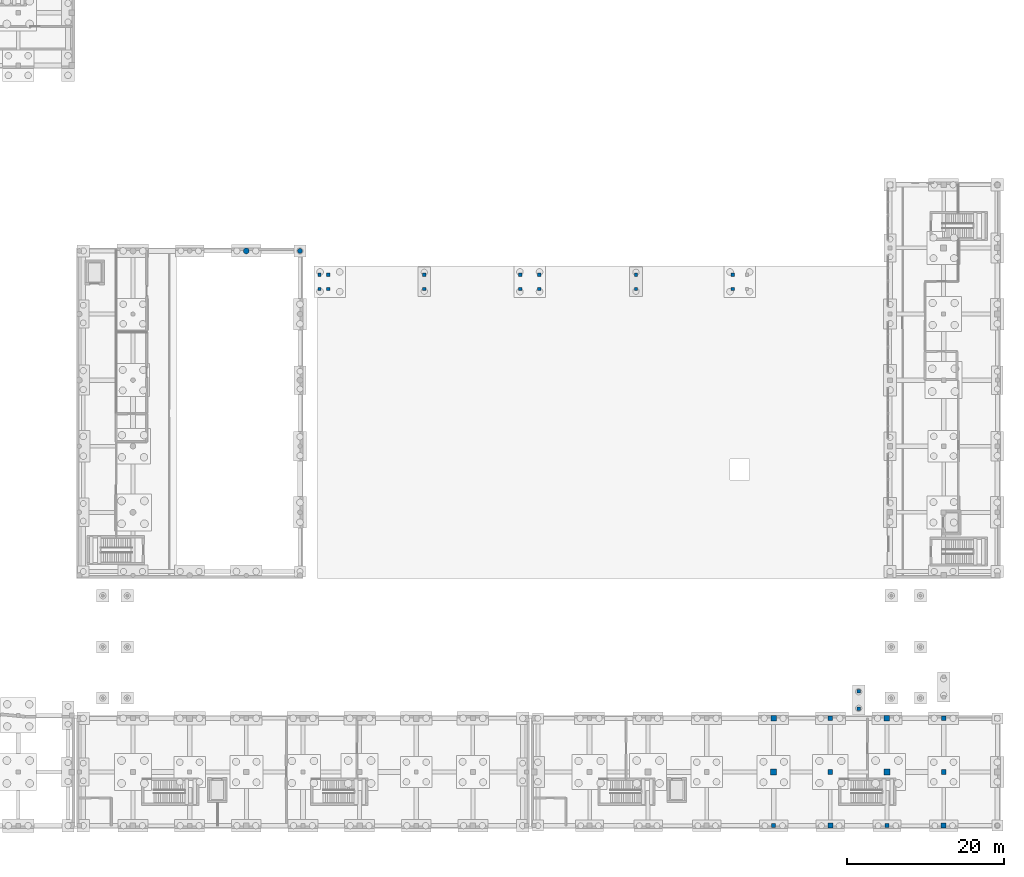
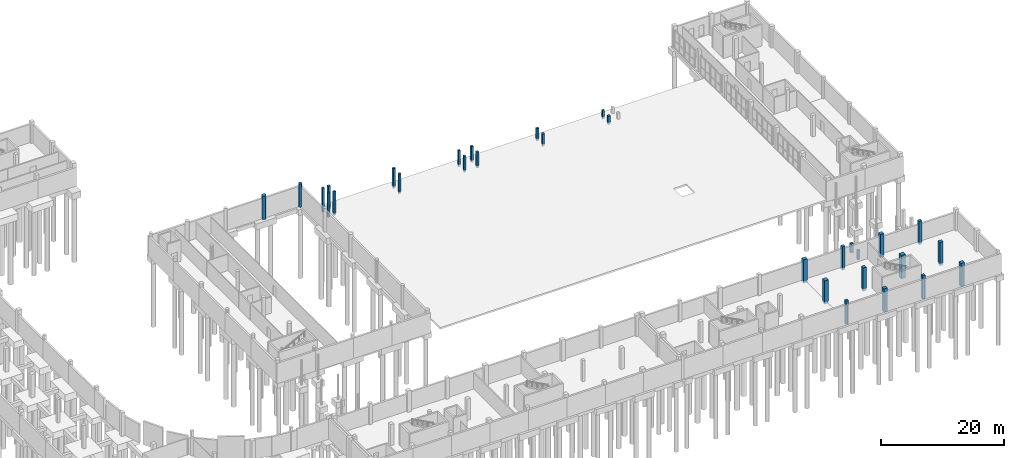
# One storey, part 14 of 41: 30 columns.
"""IFC4 building model written with IfcOpenShell, lengths in metres."""

from ifc_helpers import new_model, si_unit, direction, frame, origin, origin_2d, place, context, subcontext, project, spatial, rectangle, circle, extrude, material, material_profile, profile_set, type_object, element, save


model = new_model("IFC4")

# Units and contexts
model_context = context("Model", 3, precision=1e-05, world=origin(), true_north=direction((0.0, 1.0)))
body_context = subcontext(model_context, "Body", "Model", "MODEL_VIEW")
ifc_project = project(units=[si_unit("LENGTHUNIT", "METRE"), si_unit("AREAUNIT", "SQUARE_METRE"), si_unit("VOLUMEUNIT", "CUBIC_METRE"), si_unit("PLANEANGLEUNIT", "RADIAN"), si_unit("MASSUNIT", "GRAM", prefix="KILO")], contexts=[model_context])

# Site, building, storey
site_placement = place(None, origin())
site = spatial("IfcSite", under=ifc_project, at=site_placement, CompositionType="ELEMENT")
building_placement = place(site_placement, origin())
building = spatial("IfcBuilding", under=site, at=building_placement, Name="Vardoun Plaza Health Centre", CompositionType="ELEMENT")
storey_placement = place(building_placement, frame((0.0, 0.0, -4.5)))
storey = spatial("IfcBuildingStorey", under=building, at=storey_placement, Name="B1", CompositionType="ELEMENT", Elevation=-4.5)

# Columns
ifc_material_1 = material(Name="Concrete C40/50", Category="concrete")
ifc_material_profile_1 = material_profile(ifc_material_1, rectangle(XDim=0.39990234375, YDim=0.39990234375, at=origin_2d()), Name="RC-COL 400x400")
ifc_profile_set_1 = profile_set([ifc_material_profile_1], Name="Concrete C40/50")
column_type_1 = type_object("IfcColumnType", Name="C-08", PredefinedType="COLUMN", material=ifc_profile_set_1)
for number, where, z_axis, x_axis, name in (
    (1, (78.800048828125, 73.10009765625, -0.419921875), (0.0, 0.0, 1.0), (1.0, 0.0, 0.0), "Ramp Landing Pier 1.1"),
    (2, (78.800048828125, 74.900146484375, -0.419921875), (0.0, 0.0, 1.0), (1.0, 0.0, 0.0), "Ramp Landing Pier 1.2"),
    (3, (79.900146484375, 73.10009765625, -0.419921875), (0.0, 0.0, 1.0), (1.0, 0.0, 0.0), "Ramp Landing Pier 1.3"),
    (4, (79.900146484375, 74.900146484375, -0.419921875), (0.0, 0.0, 1.0), (1.0, 0.0, 0.0), "Ramp Landing Pier 1.4"),
):
    element("IfcColumn", number, at=place(storey_placement, frame(where, z_axis=z_axis, x_axis=x_axis)), inside=storey, type_object=column_type_1, Name=name, PredefinedType="COLUMN", context=body_context, shape_type="SweptSolid", body=[
        extrude(rectangle(XDim=0.39990234375, YDim=0.39990234375, at=origin_2d()), origin(), (0.0, 0.0, 1.0), 4.68994140625),
    ])
for number, where, z_axis, x_axis, name in (
    (5, (104.300048828125, 73.10009765625, -0.419921875), (0.0, 0.0, 1.0), (1.0, 0.0, 0.0), "Ramp Landing Pier 2.1"),
    (6, (104.300048828125, 74.900146484375, -0.419921875), (0.0, 0.0, 1.0), (1.0, 0.0, 0.0), "Ramp Landing Pier 2.2"),
    (7, (106.699951171875, 73.10009765625, -0.419921875), (0.0, 0.0, 1.0), (1.0, 0.0, 0.0), "Ramp Landing Pier 2.3"),
    (8, (106.699951171875, 74.900146484375, -0.419921875), (0.0, 0.0, 1.0), (1.0, 0.0, 0.0), "Ramp Landing Pier 2.4"),
):
    element("IfcColumn", number, at=place(storey_placement, frame(where, z_axis=z_axis, x_axis=x_axis)), inside=storey, type_object=column_type_1, Name=name, PredefinedType="COLUMN", context=body_context, shape_type="SweptSolid", body=[
        extrude(rectangle(XDim=0.39990234375, YDim=0.39990234375, at=origin_2d()), origin(), (0.0, 0.0, 1.0), 3.18994140625),
    ])
for number, where, z_axis, x_axis, name in (
    (9, (131.300048828125, 73.10009765625, -0.419921875), (0.0, 0.0, 1.0), (1.0, 0.0, 0.0), "Ramp Landing Pier 3.1"),
    (10, (131.300048828125, 74.900146484375, -0.419921875), (0.0, 0.0, 1.0), (1.0, 0.0, 0.0), "Ramp Landing Pier 3.2"),
):
    element("IfcColumn", number, at=place(storey_placement, frame(where, z_axis=z_axis, x_axis=x_axis)), inside=storey, type_object=column_type_1, Name=name, PredefinedType="COLUMN", context=body_context, shape_type="SweptSolid", body=[
        extrude(rectangle(XDim=0.39990234375, YDim=0.39990234375, at=origin_2d()), origin(), (0.0, 0.0, 1.0), 1.68994140625),
    ])
for number, where, z_axis, x_axis, name in (
    (11, (92.10009765625, 73.10009765625, -0.419921875), (0.0, 0.0, 1.0), (1.0, 0.0, 0.0), "Ramp Mid Pier 1S"),
    (12, (92.10009765625, 74.900146484375, -0.419921875), (0.0, 0.0, 1.0), (1.0, 0.0, 0.0), "Ramp Mid Pier 1N"),
):
    element("IfcColumn", number, at=place(storey_placement, frame(where, z_axis=z_axis, x_axis=x_axis)), inside=storey, type_object=column_type_1, Name=name, PredefinedType="COLUMN", context=body_context, shape_type="SweptSolid", body=[
        extrude(rectangle(XDim=0.39990234375, YDim=0.39990234375, at=origin_2d()), origin(), (0.0, 0.0, 1.0), 3.949951171875),
    ])
for number, where, z_axis, x_axis, name in (
    (13, (119.0, 73.10009765625, -0.419921875), (0.0, 0.0, 1.0), (1.0, 0.0, 0.0), "Ramp Mid Pier 2S"),
    (14, (119.0, 74.900146484375, -0.419921875), (0.0, 0.0, 1.0), (1.0, 0.0, 0.0), "Ramp Mid Pier 2N"),
):
    element("IfcColumn", number, at=place(storey_placement, frame(where, z_axis=z_axis, x_axis=x_axis)), inside=storey, type_object=column_type_1, Name=name, PredefinedType="COLUMN", context=body_context, shape_type="SweptSolid", body=[
        extrude(rectangle(XDim=0.39990234375, YDim=0.39990234375, at=origin_2d()), origin(), (0.0, 0.0, 1.0), 2.449951171875),
    ])
ifc_material_2 = material(Name="Concrete C40/50", Category="concrete")
ifc_material_profile_2 = material_profile(ifc_material_2, rectangle(XDim=0.449951171875, YDim=0.449951171875, at=origin_2d()), Name="RC-COL 450x450")
ifc_profile_set_2 = profile_set([ifc_material_profile_2], Name="Concrete C40/50")
column_type_2 = type_object("IfcColumnType", Name="C-07", PredefinedType="COLUMN", material=ifc_profile_set_2)
for number, where, z_axis, x_axis, name in (
    (15, (147.300048828125, 19.75, -0.419921875), (0.0, 0.0, 1.0), (1.0, 0.0, 0.0), "Vehicle Ramp Lower Support Pier 3"),
    (16, (147.300048828125, 21.949951171875, -0.419921875), (0.0, 0.0, 1.0), (1.0, 0.0, 0.0), "Vehicle Ramp Lower Support Pier 4"),
):
    element("IfcColumn", number, at=place(storey_placement, frame(where, z_axis=z_axis, x_axis=x_axis)), inside=storey, type_object=column_type_2, Name=name, PredefinedType="COLUMN", context=body_context, shape_type="SweptSolid", body=[
        extrude(rectangle(XDim=0.449951171875, YDim=0.449951171875, at=origin_2d()), origin(), (0.0, 0.0, 1.0), 1.829833984375),
    ])
ifc_material_3 = material(Name="Concrete C40/50", Category="concrete")
ifc_material_profile_3 = material_profile(ifc_material_3, rectangle(XDim=0.5, YDim=0.5, at=origin_2d()), Name="RC-COL 500x500")
ifc_profile_set_3 = profile_set([ifc_material_profile_3], Name="Concrete C40/50")
column_type_3 = type_object("IfcColumnType", Name="C-06", PredefinedType="COLUMN", material=ifc_profile_set_3)
for number, where, z_axis, x_axis, name in (
    (17, (136.5, 4.8798828125, -0.419921875), (0.0, 0.0, 1.0), (1.0, 0.0, 0.0), "V5 B1 Column C-V5-13"),
    (18, (150.89990234375, 4.8798828125, -0.419921875), (0.0, 0.0, 1.0), (1.0, 0.0, 0.0), "V5 B1 Column C-V5-19"),
):
    element("IfcColumn", number, at=place(storey_placement, frame(where, z_axis=z_axis, x_axis=x_axis)), inside=storey, type_object=column_type_3, Name=name, PredefinedType="COLUMN", context=body_context, shape_type="SweptSolid", body=[
        extrude(rectangle(XDim=0.5, YDim=0.5, at=origin_2d()), origin(), (0.0, 0.0, 1.0), 4.625),
    ])
ifc_material_4 = material(Name="Concrete C40/50", Category="concrete")
ifc_material_profile_4 = material_profile(ifc_material_4, rectangle(XDim=0.550048828125, YDim=0.550048828125, at=origin_2d()), Name="RC-COL 550x550")
ifc_profile_set_4 = profile_set([ifc_material_profile_4], Name="Concrete C40/50")
column_type_4 = type_object("IfcColumnType", Name="C-05", PredefinedType="COLUMN", material=ifc_profile_set_4)
for number, where, z_axis, x_axis, name in (
    (19, (143.699951171875, 18.52001953125, -0.419921875), (0.0, 0.0, 1.0), (1.0, 0.0, 0.0), "V5 B1 Column C-V5-18"),
    (20, (158.10009765625, 18.52001953125, -0.419921875), (0.0, 0.0, 1.0), (1.0, 0.0, 0.0), "V5 B1 Column C-V5-24"),
):
    element("IfcColumn", number, at=place(storey_placement, frame(where, z_axis=z_axis, x_axis=x_axis)), inside=storey, type_object=column_type_4, Name=name, PredefinedType="COLUMN", context=body_context, shape_type="SweptSolid", body=[
        extrude(rectangle(XDim=0.550048828125, YDim=0.550048828125, at=origin_2d()), origin(), (0.0, 0.0, 1.0), 4.625),
    ])
ifc_material_5 = material(Name="Concrete C40/50", Category="concrete")
ifc_material_profile_5 = material_profile(ifc_material_5, rectangle(XDim=0.60009765625, YDim=0.60009765625, at=origin_2d()), Name="RC-COL 600x600")
ifc_profile_set_5 = profile_set([ifc_material_profile_5], Name="Concrete C40/50")
column_type_5 = type_object("IfcColumnType", Name="C-04", PredefinedType="COLUMN", material=ifc_profile_set_5)
for number, where, z_axis, x_axis, name in (
    (21, (143.699951171875, 11.699951171875, -0.419921875), (0.0, 0.0, 1.0), (1.0, 0.0, 0.0), "V5 B1 Column C-V5-17"),
    (22, (158.10009765625, 11.699951171875, -0.419921875), (0.0, 0.0, 1.0), (1.0, 0.0, 0.0), "V5 B1 Column C-V5-23"),
):
    element("IfcColumn", number, at=place(storey_placement, frame(where, z_axis=z_axis, x_axis=x_axis)), inside=storey, type_object=column_type_5, Name=name, PredefinedType="COLUMN", context=body_context, shape_type="SweptSolid", body=[
        extrude(rectangle(XDim=0.60009765625, YDim=0.60009765625, at=origin_2d()), origin(), (0.0, 0.0, 1.0), 4.625),
    ])
ifc_material_6 = material(Name="Concrete C40/50", Category="concrete")
ifc_material_profile_6 = material_profile(ifc_material_6, rectangle(XDim=0.64990234375, YDim=0.64990234375, at=origin_2d()), Name="RC-COL 650x650")
ifc_profile_set_6 = profile_set([ifc_material_profile_6], Name="Concrete C40/50")
column_type_6 = type_object("IfcColumnType", Name="C-03", PredefinedType="COLUMN", material=ifc_profile_set_6)
for number, where, z_axis, x_axis, name in (
    (23, (143.699951171875, 4.8798828125, -0.419921875), (0.0, 0.0, 1.0), (1.0, 0.0, 0.0), "V5 B1 Column C-V5-16"),
    (24, (158.10009765625, 4.8798828125, -0.419921875), (0.0, 0.0, 1.0), (1.0, 0.0, 0.0), "V5 B1 Column C-V5-22"),
):
    element("IfcColumn", number, at=place(storey_placement, frame(where, z_axis=z_axis, x_axis=x_axis)), inside=storey, type_object=column_type_6, Name=name, PredefinedType="COLUMN", context=body_context, shape_type="SweptSolid", body=[
        extrude(rectangle(XDim=0.64990234375, YDim=0.64990234375, at=origin_2d()), origin(), (0.0, 0.0, 1.0), 4.625),
    ])
ifc_material_7 = material(Name="Concrete C40/50", Category="concrete")
ifc_material_profile_7 = material_profile(ifc_material_7, rectangle(XDim=0.699951171875, YDim=0.699951171875, at=origin_2d()), Name="RC-COL 700x700")
ifc_profile_set_7 = profile_set([ifc_material_profile_7], Name="Concrete C40/50")
column_type_7 = type_object("IfcColumnType", Name="C-02", PredefinedType="COLUMN", material=ifc_profile_set_7)
for number, where, z_axis, x_axis, name in (
    (25, (136.5, 18.52001953125, -0.419921875), (0.0, 0.0, 1.0), (1.0, 0.0, 0.0), "V5 B1 Column C-V5-15"),
    (26, (150.89990234375, 18.52001953125, -0.419921875), (0.0, 0.0, 1.0), (1.0, 0.0, 0.0), "V5 B1 Column C-V5-21"),
):
    element("IfcColumn", number, at=place(storey_placement, frame(where, z_axis=z_axis, x_axis=x_axis)), inside=storey, type_object=column_type_7, Name=name, PredefinedType="COLUMN", context=body_context, shape_type="SweptSolid", body=[
        extrude(rectangle(XDim=0.699951171875, YDim=0.699951171875, at=origin_2d()), origin(), (0.0, 0.0, 1.0), 4.625),
    ])
ifc_material_8 = material(Name="Concrete C40/50", Category="concrete")
ifc_material_profile_8 = material_profile(ifc_material_8, rectangle(XDim=0.75, YDim=0.75, at=origin_2d()), Name="RC-COL 750x750")
ifc_profile_set_8 = profile_set([ifc_material_profile_8], Name="Concrete C40/50")
column_type_8 = type_object("IfcColumnType", Name="C-01", PredefinedType="COLUMN", material=ifc_profile_set_8)
for number, where, z_axis, x_axis, name in (
    (27, (136.5, 11.699951171875, -0.419921875), (0.0, 0.0, 1.0), (1.0, 0.0, 0.0), "V5 B1 Column C-V5-14"),
    (28, (150.89990234375, 11.699951171875, -0.419921875), (0.0, 0.0, 1.0), (1.0, 0.0, 0.0), "V5 B1 Column C-V5-20"),
):
    element("IfcColumn", number, at=place(storey_placement, frame(where, z_axis=z_axis, x_axis=x_axis)), inside=storey, type_object=column_type_8, Name=name, PredefinedType="COLUMN", context=body_context, shape_type="SweptSolid", body=[
        extrude(rectangle(XDim=0.75, YDim=0.75, at=origin_2d()), origin(), (0.0, 0.0, 1.0), 4.625),
    ])
ifc_material_9 = material(Name="Pale Limestone Concrete C40/50", Category="masonry")
ifc_material_profile_9 = material_profile(ifc_material_9, circle(Radius=0.300048828125, at=origin_2d()), Name="RC-COL D600")
ifc_profile_set_9 = profile_set([ifc_material_profile_9], Name="Pale Limestone Concrete C40/50")
column_type_9 = type_object("IfcColumnType", Name="C-15", PredefinedType="COLUMN", material=ifc_profile_set_9)
column_1_placement = place(storey_placement, frame((76.300048828125, 77.919921875, -0.419921875), z_axis=(0.0, 0.0, 1.0), x_axis=(1.0, 0.0, 0.0)))
element("IfcColumn", 29, at=column_1_placement, inside=storey, type_object=column_type_9, Name="V1 B1 Column C-V1-22", PredefinedType="COLUMN", context=body_context, shape_type="SweptSolid", body=[
    extrude(circle(Radius=0.300048828125, at=origin_2d()), origin(), (0.0, 0.0, 1.0), 4.639892578125),
])
ifc_material_10 = material(Name="Pale Limestone Concrete C40/50", Category="masonry")
ifc_material_profile_10 = material_profile(ifc_material_10, circle(Radius=0.375, at=origin_2d()), Name="RC-COL D750")
ifc_profile_set_10 = profile_set([ifc_material_profile_10], Name="Pale Limestone Concrete C40/50")
column_type_10 = type_object("IfcColumnType", Name="C-13", PredefinedType="COLUMN", material=ifc_profile_set_10)
column_2_placement = place(storey_placement, frame((69.47998046875, 77.919921875, -0.419921875), z_axis=(0.0, 0.0, 1.0), x_axis=(1.0, 0.0, 0.0)))
element("IfcColumn", 30, at=column_2_placement, inside=storey, type_object=column_type_10, Name="V1 B1 Column C-V1-16", PredefinedType="COLUMN", context=body_context, shape_type="SweptSolid", body=[
    extrude(circle(Radius=0.375, at=origin_2d()), origin(), (0.0, 0.0, 1.0), 4.639892578125),
])

save(model, "model.ifc")
